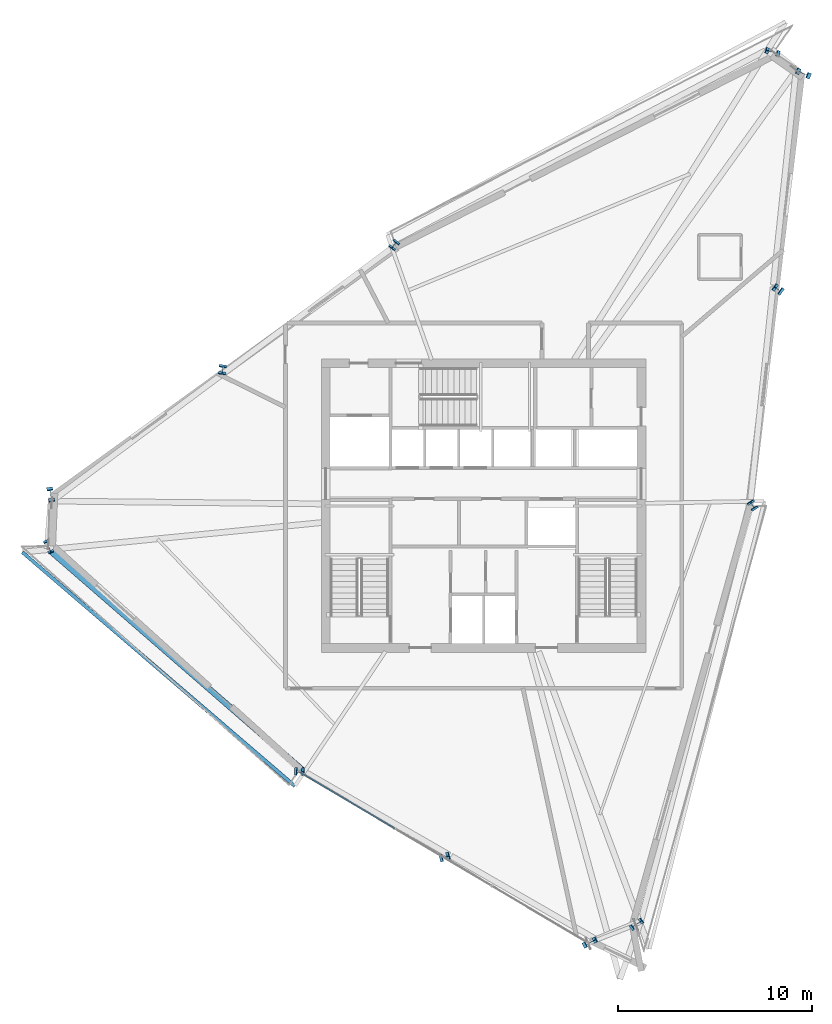
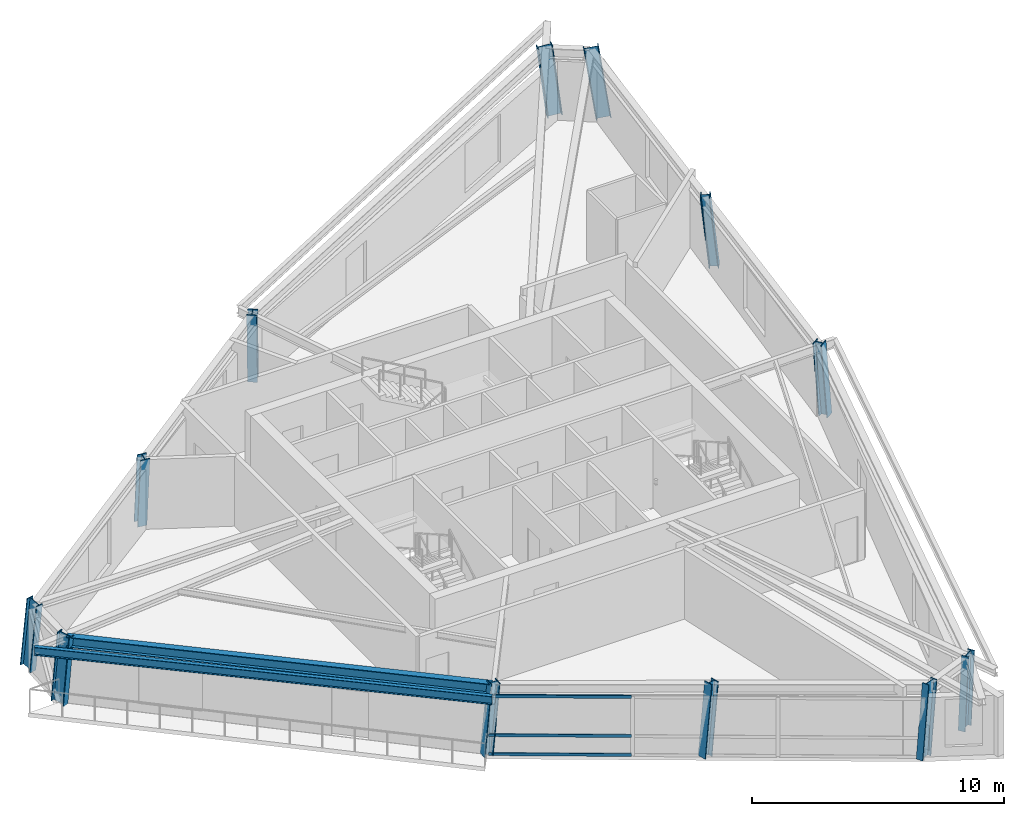
# One storey, part 1 of 14: 12 columns, 3 members, 2 beams, 1 element without a shape of its own.
"""IFC4 building model written with IfcOpenShell, lengths in metres."""

from ifc_helpers import new_model, si_unit, direction, frame, origin, origin_2d, place, context, subcontext, project, spatial, hollow_rectangle, i_section, extrude, source, transform, mapped, material, material_profile, profile_set, type_object, element, aggregate, save


model = new_model("IFC4")

# Units and contexts
model_context = context("Model", 3, precision=1e-05, world=origin(), true_north=direction((0.0, 1.0)))
body_context = subcontext(model_context, "Body", "Model", "MODEL_VIEW")
ifc_project = project(units=[si_unit("LENGTHUNIT", "METRE"), si_unit("AREAUNIT", "SQUARE_METRE"), si_unit("VOLUMEUNIT", "CUBIC_METRE"), si_unit("PLANEANGLEUNIT", "RADIAN"), si_unit("MASSUNIT", "GRAM", prefix="KILO")], contexts=[model_context])

# Site, building, storey
site_placement = place(None, origin())
site = spatial("IfcSite", under=ifc_project, at=site_placement, CompositionType="ELEMENT")
building_placement = place(site_placement, origin())
building = spatial("IfcBuilding", under=site, at=building_placement, Name="Olszyna Solenne Hotel", CompositionType="ELEMENT")
storey_placement = place(building_placement, frame((0.0, 0.0, 259.699951171875)))
storey = spatial("IfcBuildingStorey", under=building, at=storey_placement, Name="L69", CompositionType="ELEMENT", Elevation=259.699951171875)

# Columns
ifc_material_1 = material(Name="Steel S460M", Category="steel")
ifc_material_profile_1 = material_profile(ifc_material_1, i_section(OverallWidth=0.304931640625, OverallDepth=0.6201171875, WebThickness=0.02099609375, FlangeThickness=0.0400390625, at=origin_2d()), Name="HEM 600", Category="load-bearing")
ifc_profile_set_1 = profile_set([ifc_material_profile_1], Name="Steel S460M")
column_type_1 = type_object("IfcColumnType", Name="COL-K3", PredefinedType="COLUMN", material=ifc_profile_set_1)
shared_shape_1 = source(origin(), body_context, "Body", "SweptSolid", [
    extrude(i_section(OverallWidth=0.304931640625, OverallDepth=0.6201171875, WebThickness=0.02099609375, FlangeThickness=0.0400390625, at=origin_2d()), origin(), (0.0, 0.0, 1.0), 3.458984375),
])
column_1_placement = place(storey_placement, frame((52.938232421875, 49.9248046875, 0.0), z_axis=(-0.112792789454, 0.031692091655, 0.993112983489), x_axis=(-0.270501315838, -0.962719605145, 0.0)))
element("IfcColumn", 1, at=column_1_placement, inside=storey, type_object=column_type_1, Name="Perimeter framed-tube column COL-K3 C-L69-02", PredefinedType="COLUMN", context=body_context, shape_type="MappedRepresentation", body=[
    mapped(shared_shape_1, transform((0.0, 0.0, 0.0), x_axis=(1.0, 0.0, 0.0), y_axis=(0.0, 1.0, 0.0), z_axis=(0.0, 0.0, 1.0), scale=1.0)),
])
shared_shape_2 = source(origin(), body_context, "Body", "SweptSolid", [
    extrude(i_section(OverallWidth=0.304931640625, OverallDepth=0.6201171875, WebThickness=0.02099609375, FlangeThickness=0.0400390625, at=origin_2d()), origin(), (0.0, 0.0, 1.0), 3.4599609375),
])
column_2_placement = place(storey_placement, frame((15.707763671875, 27.240478515625, 0.0), z_axis=(0.021027533924, -0.11783886461, 0.992810074891), x_axis=(0.984449427873, 0.175668221261, 0.0)))
element("IfcColumn", 2, at=column_2_placement, inside=storey, type_object=column_type_1, Name="Perimeter framed-tube column COL-K3 C-L69-05", PredefinedType="COLUMN", context=body_context, shape_type="MappedRepresentation", body=[
    mapped(shared_shape_2, transform((0.0, 0.0, 0.0), x_axis=(1.0, 0.0, 0.0), y_axis=(0.0, 1.0, 0.0), z_axis=(0.0, 0.0, 1.0), scale=1.0)),
])
shared_shape_3 = source(origin(), body_context, "Body", "SweptSolid", [
    extrude(i_section(OverallWidth=0.304931640625, OverallDepth=0.6201171875, WebThickness=0.02099609375, FlangeThickness=0.0400390625, at=origin_2d()), origin(), (0.0, 0.0, 1.0), 3.47021484375),
])
column_3_placement = place(storey_placement, frame((54.53857421875, 48.806396484375, 0.0), z_axis=(-0.13092814069, 0.05480549253, 0.989875840681), x_axis=(-0.386128279598, -0.922445094136, 0.0)))
element("IfcColumn", 3, at=column_3_placement, inside=storey, type_object=column_type_1, Name="Perimeter framed-tube column COL-K3 C-L69-01", PredefinedType="COLUMN", context=body_context, shape_type="MappedRepresentation", body=[
    mapped(shared_shape_3, transform((0.0, 0.0, 0.0), x_axis=(1.0, 0.0, 0.0), y_axis=(0.0, 1.0, 0.0), z_axis=(0.0, 0.0, 1.0), scale=1.0)),
])
ifc_material_profile_2 = material_profile(ifc_material_1, i_section(OverallWidth=0.40087890625, OverallDepth=0.39892578125, WebThickness=0.02197265625, FlangeThickness=0.034423828125, at=origin_2d()), Name="HD 400x314", Category="load-bearing")
ifc_profile_set_2 = profile_set([ifc_material_profile_2], Name="Steel S460M")
column_type_2 = type_object("IfcColumnType", Name="COL-T5", PredefinedType="COLUMN", material=ifc_profile_set_2)
shared_shape_4 = source(origin(), body_context, "Body", "SweptSolid", [
    extrude(i_section(OverallWidth=0.40087890625, OverallDepth=0.39892578125, WebThickness=0.02197265625, FlangeThickness=0.034423828125, at=origin_2d()), origin(), (0.0, 0.0, 1.0), 3.448974609375),
])
for number, where, z_axis, x_axis, name in (
    (4, (24.56689453125, 33.64794921875, 0.0), (-0.011892015434, -0.089048544142, 0.995956292593), (0.991200353679, -0.13237015852, 0.0), "Perimeter framed-tube column COL-T5 C-L69-04"),
    (5, (28.4716796875, 12.9169921875, 0.0), (0.08933509565, -0.00382257937, 0.995994291436), (0.042750105391, 0.99908579636, 0.0), "Perimeter framed-tube column COL-T5 C-L69-07"),
):
    element("IfcColumn", number, at=place(storey_placement, frame(where, z_axis=z_axis, x_axis=x_axis)), inside=storey, type_object=column_type_2, Name=name, PredefinedType="COLUMN", context=body_context, shape_type="MappedRepresentation", body=[
        mapped(shared_shape_4, transform((0.0, 0.0, 0.0), x_axis=(1.0, 0.0, 0.0), y_axis=(0.0, 1.0, 0.0), z_axis=(0.0, 0.0, 1.0), scale=1.0)),
    ])
shared_shape_5 = source(origin(), body_context, "Body", "SweptSolid", [
    extrude(i_section(OverallWidth=0.40087890625, OverallDepth=0.39892578125, WebThickness=0.02197265625, FlangeThickness=0.034423828125, at=origin_2d()), origin(), (0.0, 0.0, 1.0), 3.4541015625),
])
for number, where, z_axis, x_axis, name in (
    (6, (35.934814453125, 8.495361328125, 0.0), (0.101707670884, 0.026575458132, 0.994459297663), (-0.252805059567, 0.967517235948, 0.0), "Perimeter framed-tube column COL-T5 C-L69-08"),
    (7, (53.20654296875, 37.69091796875, 0.0), (-0.086441059114, 0.059794878177, 0.994460917202), (-0.568895229134, -0.822410006182, 0.0), "Perimeter framed-tube column COL-T5 C-L69-12"),
):
    element("IfcColumn", number, at=place(storey_placement, frame(where, z_axis=z_axis, x_axis=x_axis)), inside=storey, type_object=column_type_2, Name=name, PredefinedType="COLUMN", context=body_context, shape_type="MappedRepresentation", body=[
        mapped(shared_shape_5, transform((0.0, 0.0, 0.0), x_axis=(1.0, 0.0, 0.0), y_axis=(0.0, 1.0, 0.0), z_axis=(0.0, 0.0, 1.0), scale=1.0)),
    ])
shared_shape_6 = source(origin(), body_context, "Body", "SweptSolid", [
    extrude(i_section(OverallWidth=0.304931640625, OverallDepth=0.6201171875, WebThickness=0.02099609375, FlangeThickness=0.0400390625, at=origin_2d()), origin(), (0.0, 0.0, 1.0), 3.463134765625),
])
column_4_placement = place(storey_placement, frame((43.39794921875, 4.073974609375, 0.0), z_axis=(0.11392028332, 0.056748655986, 0.991867813316), x_axis=(-0.445883758683, 0.895090874573, 0.0)))
element("IfcColumn", 8, at=column_4_placement, inside=storey, type_object=column_type_1, Name="Perimeter framed-tube column COL-K3 C-L69-09", PredefinedType="COLUMN", context=body_context, shape_type="MappedRepresentation", body=[
    mapped(shared_shape_6, transform((0.0, 0.0, 0.0), x_axis=(1.0, 0.0, 0.0), y_axis=(0.0, 1.0, 0.0), z_axis=(0.0, 0.0, 1.0), scale=1.0)),
])
shared_shape_7 = source(origin(), body_context, "Body", "SweptSolid", [
    extrude(i_section(OverallWidth=0.40087890625, OverallDepth=0.39892578125, WebThickness=0.02197265625, FlangeThickness=0.034423828125, at=origin_2d()), origin(), (0.0, 0.0, 1.0), 3.44482421875),
])
column_5_placement = place(storey_placement, frame((33.42578125, 40.05517578125, 0.0), z_axis=(-0.044934128524, -0.059817672673, 0.997197457944), x_axis=(0.799545052692, -0.600606117781, 0.0)))
element("IfcColumn", 9, at=column_5_placement, inside=storey, type_object=column_type_2, Name="Perimeter framed-tube column COL-T5 C-L69-03", PredefinedType="COLUMN", context=body_context, shape_type="MappedRepresentation", body=[
    mapped(shared_shape_7, transform((0.0, 0.0, 0.0), x_axis=(1.0, 0.0, 0.0), y_axis=(0.0, 1.0, 0.0), z_axis=(0.0, 0.0, 1.0), scale=1.0)),
])
shared_shape_8 = source(origin(), body_context, "Body", "SweptSolid", [
    extrude(i_section(OverallWidth=0.304931640625, OverallDepth=0.6201171875, WebThickness=0.02099609375, FlangeThickness=0.0400390625, at=origin_2d()), origin(), (0.0, 0.0, 1.0), 3.447998046875),
])
column_6_placement = place(storey_placement, frame((15.58984375, 24.537353515625, 0.0), z_axis=(0.034553905001, -0.079233237083, 0.996257056081), x_axis=(0.916626708041, 0.399744265884, 0.0)))
element("IfcColumn", 10, at=column_6_placement, inside=storey, type_object=column_type_1, Name="Perimeter framed-tube column COL-K3 C-L69-06", PredefinedType="COLUMN", context=body_context, shape_type="MappedRepresentation", body=[
    mapped(shared_shape_8, transform((0.0, 0.0, 0.0), x_axis=(1.0, 0.0, 0.0), y_axis=(0.0, 1.0, 0.0), z_axis=(0.0, 0.0, 1.0), scale=1.0)),
])
shared_shape_9 = source(origin(), body_context, "Body", "SweptSolid", [
    extrude(i_section(OverallWidth=0.304931640625, OverallDepth=0.6201171875, WebThickness=0.02099609375, FlangeThickness=0.0400390625, at=origin_2d()), origin(), (0.0, 0.0, 1.0), 3.44970703125),
])
column_7_placement = place(storey_placement, frame((45.827880859375, 5.0166015625, 0.0), z_axis=(0.074735037685, 0.05364503652, 0.995759450971), x_axis=(-0.583128682358, 0.812379800224, 0.0)))
element("IfcColumn", 11, at=column_7_placement, inside=storey, type_object=column_type_1, Name="Perimeter framed-tube column COL-K3 C-L69-10", PredefinedType="COLUMN", context=body_context, shape_type="MappedRepresentation", body=[
    mapped(shared_shape_9, transform((0.0, 0.0, 0.0), x_axis=(1.0, 0.0, 0.0), y_axis=(0.0, 1.0, 0.0), z_axis=(0.0, 0.0, 1.0), scale=1.0)),
])
shared_shape_10 = source(origin(), body_context, "Body", "SweptSolid", [
    extrude(i_section(OverallWidth=0.40087890625, OverallDepth=0.39892578125, WebThickness=0.02197265625, FlangeThickness=0.034423828125, at=origin_2d()), origin(), (0.0, 0.0, 1.0), 3.4453125),
])
column_8_placement = place(storey_placement, frame((51.87451171875, 26.5751953125, 0.0), z_axis=(-0.04145470851, 0.064768553126, 0.997038886738), x_axis=(-0.842254664655, -0.53907984554, 0.0)))
element("IfcColumn", 12, at=column_8_placement, inside=storey, type_object=column_type_2, Name="Perimeter framed-tube column COL-T5 C-L69-11", PredefinedType="COLUMN", context=body_context, shape_type="MappedRepresentation", body=[
    mapped(shared_shape_10, transform((0.0, 0.0, 0.0), x_axis=(1.0, 0.0, 0.0), y_axis=(0.0, 1.0, 0.0), z_axis=(0.0, 0.0, 1.0), scale=1.0)),
])

# Beams
ifc_material_2 = material(Name="Steel S355J2", Category="steel")
ifc_material_profile_3 = material_profile(ifc_material_2, i_section(OverallWidth=0.300048828125, OverallDepth=0.5, WebThickness=0.014404296875, FlangeThickness=0.028076171875, at=origin_2d()), Name="HEB 500", Category="load-bearing")
ifc_profile_set_3 = profile_set([ifc_material_profile_3], Name="Steel S355J2")
beam_type_1 = type_object("IfcBeamType", Name="BM-S3", PredefinedType="BEAM", material=ifc_profile_set_3)
shared_shape_11 = source(origin(), body_context, "Body", "SweptSolid", [
    extrude(i_section(OverallWidth=0.300048828125, OverallDepth=0.5, WebThickness=0.014404296875, FlangeThickness=0.028076171875, at=origin_2d()), origin(), (0.0, 0.0, 1.0), 17.197998046875),
])
beam_1_placement = place(storey_placement, frame((15.754150390625, 24.224853515625, 3.130126953125), z_axis=(0.754767476044, -0.655992421531, 0.0), x_axis=(0.655992421531, 0.754767476044, 0.0)))
element("IfcBeam", 13, at=beam_1_placement, inside=storey, type_object=beam_type_1, Name="Perimeter spandrel beam BM-S3 B-L69-2031", PredefinedType="BEAM", context=body_context, shape_type="MappedRepresentation", body=[
    mapped(shared_shape_11, transform((0.0, 0.0, 0.0), x_axis=(1.0, 0.0, 0.0), y_axis=(0.0, 1.0, 0.0), z_axis=(0.0, 0.0, 1.0), scale=1.0)),
])
ifc_material_profile_4 = material_profile(ifc_material_2, i_section(OverallWidth=0.179931640625, OverallDepth=0.39990234375, WebThickness=0.008544921875, FlangeThickness=0.013427734375, at=origin_2d()), Name="IPE 400", Category="load-bearing")
ifc_profile_set_4 = profile_set([ifc_material_profile_4], Name="Steel S355J2")
beam_type_2 = type_object("IfcBeamType", Name="BM-F5", PredefinedType="BEAM", material=ifc_profile_set_4)
shared_shape_12 = source(origin(), body_context, "Body", "SweptSolid", [
    extrude(i_section(OverallWidth=0.179931640625, OverallDepth=0.39990234375, WebThickness=0.008544921875, FlangeThickness=0.013427734375, at=origin_2d()), origin(), (0.0, 0.0, 1.0), 18.485595703125),
])
beam_2_placement = place(storey_placement, frame((14.25830078125, 24.204345703125, 3.179931640625), z_axis=(0.758770682703, -0.651357851776, 0.0), x_axis=(0.651357851776, 0.758770682703, 0.0)))
element("IfcBeam", 14, at=beam_2_placement, inside=storey, type_object=beam_type_2, Name="Loggia outer edge beam BM-F5 B-L69-2052", PredefinedType="BEAM", context=body_context, shape_type="MappedRepresentation", body=[
    mapped(shared_shape_12, transform((0.0, 0.0, 0.0), x_axis=(1.0, 0.0, 0.0), y_axis=(0.0, 1.0, 0.0), z_axis=(0.0, 0.0, 1.0), scale=1.0)),
])

# Curtain wall, members
ifc_material_3 = material(Name="Anodised bronze aluminium", Category="aluminium")
curtain_wall_type = type_object("IfcCurtainWallType", Name="CW-SYS-4", PredefinedType="NOTDEFINED", material=ifc_material_3)
curtain_wall_placement = place(storey_placement, origin())
curtain_wall = element("IfcCurtainWall", 15, at=curtain_wall_placement, inside=storey, type_object=curtain_wall_type, Name="Unitised curtain wall CW-SYS-4 CW-L69-01", PredefinedType="NOTDEFINED")
ifc_material_profile_5 = material_profile(ifc_material_3, hollow_rectangle(XDim=0.06494140625, YDim=0.139892578125, WallThickness=0.00390625, at=origin_2d()), Name="TRAN 140x65x4", Category="load-bearing")
ifc_profile_set_5 = profile_set([ifc_material_profile_5], Name="Anodised bronze aluminium")
member_type = type_object("IfcMemberType", Name="CW-T2", PredefinedType="USERDEFINED", material=ifc_profile_set_5)
shared_shape_13 = source(origin(), body_context, "Body", "SweptSolid", [
    extrude(hollow_rectangle(XDim=0.06494140625, YDim=0.139892578125, WallThickness=0.00390625, at=origin_2d()), origin(), (0.0, 0.0, 1.0), 5.685302734375),
])
member_1_placement = place(storey_placement, frame((28.52783203125, 12.8837890625, 0.032470703125), z_axis=(0.860340356992, -0.509719991889, 0.0), x_axis=(0.509719991889, 0.860340356992, 0.0)))
member_1 = element("IfcMember", 16, at=member_1_placement, type_object=member_type, Name="Curtain-wall transom CW-T2 CT-L69-01-01", ObjectType="TRANSOM", PredefinedType="USERDEFINED", context=body_context, shape_type="MappedRepresentation", body=[
    mapped(shared_shape_13, transform((0.0, 0.0, 0.0), x_axis=(1.0, 0.0, 0.0), y_axis=(0.0, 1.0, 0.0), z_axis=(0.0, 0.0, 1.0), scale=1.0)),
])
member_2_placement = place(storey_placement, frame((28.52783203125, 12.8837890625, 0.949951171875), z_axis=(0.860340356992, -0.509719991889, 0.0), x_axis=(0.509719991889, 0.860340356992, 0.0)))
member_2 = element("IfcMember", 17, at=member_2_placement, type_object=member_type, Name="Curtain-wall transom CW-T2 CT-L69-01-02", ObjectType="TRANSOM", PredefinedType="USERDEFINED", context=body_context, shape_type="MappedRepresentation", body=[
    mapped(shared_shape_13, transform((0.0, 0.0, 0.0), x_axis=(1.0, 0.0, 0.0), y_axis=(0.0, 1.0, 0.0), z_axis=(0.0, 0.0, 1.0), scale=1.0)),
])
member_3_placement = place(storey_placement, frame((28.52783203125, 12.8837890625, 2.839599609375), z_axis=(0.860340356992, -0.509719991889, 0.0), x_axis=(0.509719991889, 0.860340356992, 0.0)))
member_3 = element("IfcMember", 18, at=member_3_placement, type_object=member_type, Name="Curtain-wall transom CW-T2 CT-L69-01-03", ObjectType="TRANSOM", PredefinedType="USERDEFINED", context=body_context, shape_type="MappedRepresentation", body=[
    mapped(shared_shape_13, transform((0.0, 0.0, 0.0), x_axis=(1.0, 0.0, 0.0), y_axis=(0.0, 1.0, 0.0), z_axis=(0.0, 0.0, 1.0), scale=1.0)),
])
aggregate(curtain_wall, [member_1, member_2, member_3])

save(model, "model.ifc")
